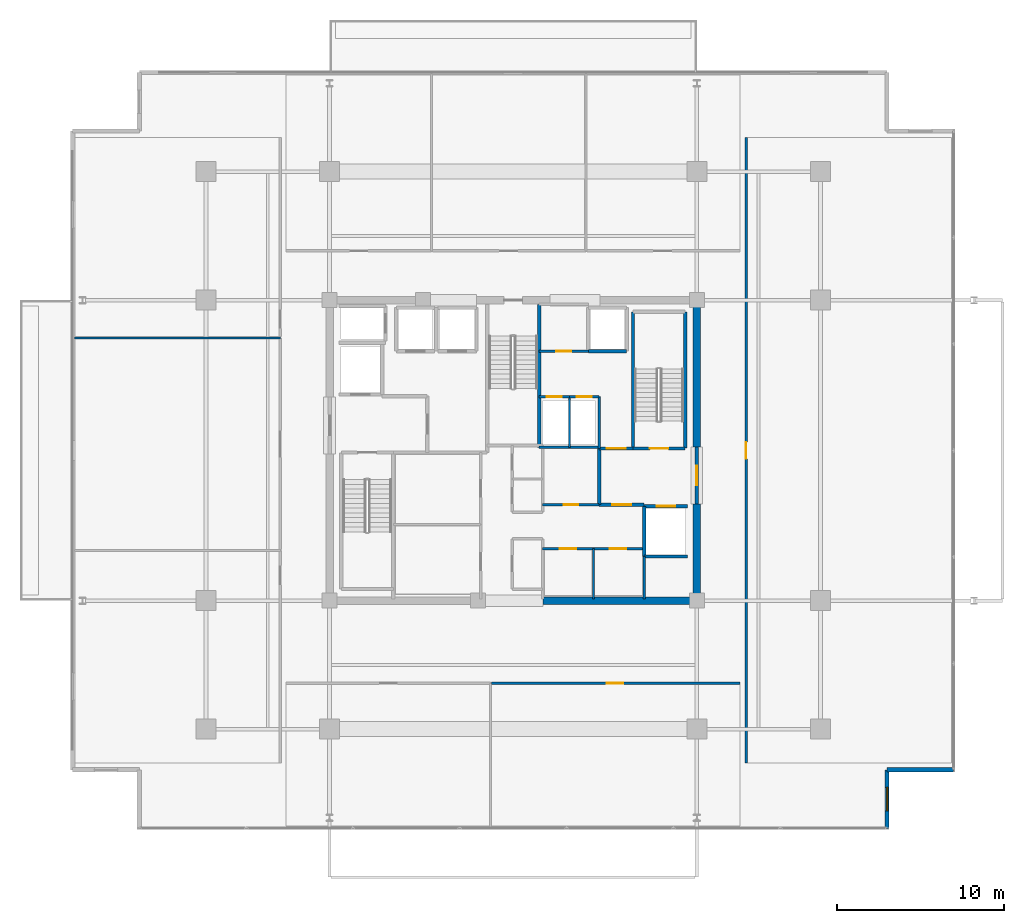
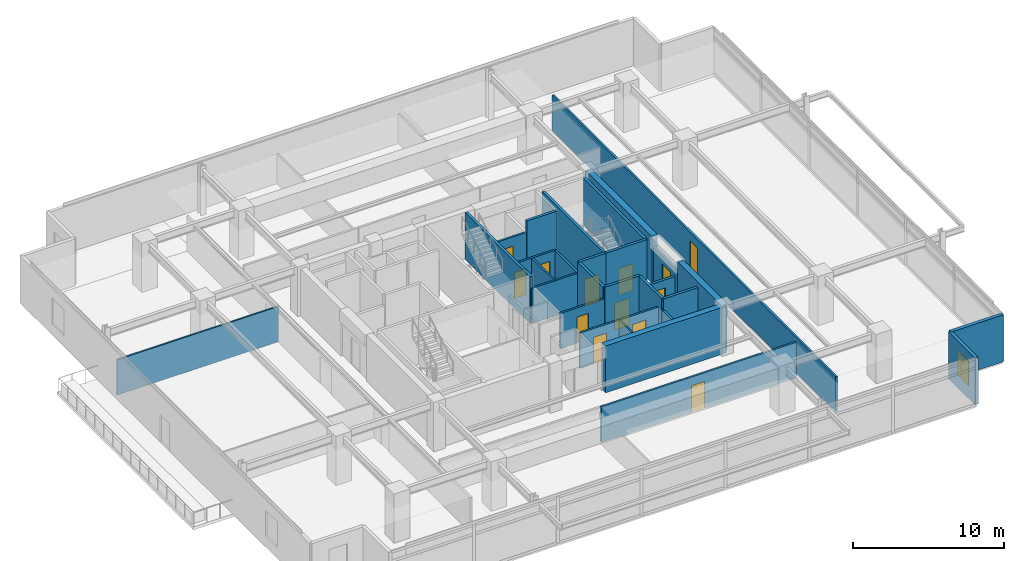
# One storey, part 13 of 19: 31 walls, 13 doors, 1 window, 14 openings.
"""IFC4 building model written with IfcOpenShell, lengths in metres."""

from ifc_helpers import new_model, si_unit, direction, frame, frame_2d, origin, place, context, subcontext, project, spatial, rectangle, extrude, material, layer, layer_set, type_object, element, fill, save


model = new_model("IFC4")

# Units and contexts
model_context = context("Model", 3, precision=1e-05, world=origin(), true_north=direction((0.0, 1.0)))
body_context = subcontext(model_context, "Body", "Model", "MODEL_VIEW")
ifc_project = project(units=[si_unit("LENGTHUNIT", "METRE"), si_unit("AREAUNIT", "SQUARE_METRE"), si_unit("VOLUMEUNIT", "CUBIC_METRE"), si_unit("PLANEANGLEUNIT", "RADIAN"), si_unit("MASSUNIT", "GRAM", prefix="KILO")], contexts=[model_context])

# Site, building, storey
site_placement = place(None, origin())
site = spatial("IfcSite", under=ifc_project, at=site_placement, CompositionType="ELEMENT")
building_placement = place(site_placement, origin())
building = spatial("IfcBuilding", under=site, at=building_placement, Name="Kovane Verandah Tower", CompositionType="ELEMENT")
storey_placement = place(building_placement, frame((0.0, 0.0, 255.199951171875)))
storey = spatial("IfcBuildingStorey", under=building, at=storey_placement, Name="L59", CompositionType="ELEMENT", Elevation=255.199951171875)

# Walls
ifc_material_1 = material(Name="Fire-Rated Gypsum Stud Partition", Category="gypsum")
ifc_layer_1 = layer(ifc_material_1, 0.14990234375)
ifc_layer_set_1 = layer_set([ifc_layer_1], Name="Fire-Rated Gypsum Stud Partition")
wall_type_1 = type_object("IfcWallType", Name="WL-COR-150", PredefinedType="PARTITIONING", material=ifc_layer_set_1)
wall_1_placement = place(storey_placement, frame((41.56005859375, 27.679931640625, 0.0), z_axis=(0.0, 0.0, 1.0), x_axis=(1.0, 0.0, 0.0)))
element("IfcWall", 1, at=wall_1_placement, inside=storey, type_object=wall_type_1, Name="L59 East Core Service Riser South Wall", PredefinedType="PARTITIONING", context=body_context, shape_type="SweptSolid", body=[
    extrude(rectangle(XDim=3.58984375, YDim=0.14990234375, at=frame_2d((1.794921875, 0.0))), origin(), (0.0, 0.0, 1.0), 2.85009765625),
])
wall_2_placement = place(storey_placement, frame((47.85009765625, 18.60009765625, 0.0), z_axis=(0.0, 0.0, 1.0), x_axis=(0.0, 1.0, 0.0)))
element("IfcWall", 2, at=wall_2_placement, inside=storey, type_object=wall_type_1, Name="L59 East Core Support East Wall", PredefinedType="PARTITIONING", context=body_context, shape_type="SweptSolid", body=[
    extrude(rectangle(XDim=2.539794921875, YDim=0.14990234375, at=frame_2d((1.27001953125, 0.0))), origin(), (0.0, 0.0, 1.0), 2.85009765625),
])

# Wall, opening, door
wall_3_placement = place(storey_placement, frame((41.760009765625, 21.6201171875, 0.0), z_axis=(0.0, 0.0, 1.0), x_axis=(1.0, 0.0, 0.0)))
wall_3 = element("IfcWall", 3, at=wall_3_placement, inside=storey, type_object=wall_type_1, Name="L59 AV Control Room Partition", PredefinedType="PARTITIONING", context=body_context, shape_type="SweptSolid", body=[
    extrude(rectangle(XDim=3.0400390625, YDim=0.14990234375, at=frame_2d((1.52001953125, 0.0))), origin(), (0.0, 0.0, 1.0), 2.85009765625),
])
opening_1_placement = place(wall_3_placement, frame((1.02001953125, 0.0, 0.0)))
opening_1 = element("IfcOpeningElement", 4, at=opening_1_placement, cuts=wall_3, Name="Opening DR-L59-014", PredefinedType="OPENING", context=body_context, shape_type="SweptSolid", body=[
    extrude(rectangle(XDim=1.0, YDim=2.14990234375, at=frame_2d((0.5, 1.074951171875))), frame((0.0, 0.074951171875, 0.0), z_axis=(0.0, -1.0, 0.0), x_axis=(1.0, 0.0, 0.0)), (0.0, 0.0, 1.0), 0.14990234375),
])
ifc_material_2 = material(Name="FSC Spotted-Gum Timber Fire-Rated Office Door", Category="wood")
door_type_1 = type_object("IfcDoorType", Name="DR-OFF-1000", OperationType="SINGLE_SWING_LEFT", PredefinedType="DOOR", material=ifc_material_2)
door_1_placement = place(opening_1_placement, origin())
door_1 = element("IfcDoor", 5, at=door_1_placement, inside=storey, type_object=door_type_1, Name="L59 AV Control Room Door", OperationType="SINGLE_SWING_RIGHT", OverallHeight=2.14990234375, OverallWidth=1.0, PredefinedType="DOOR", context=body_context, shape_type="SweptSolid", body=[
    extrude(rectangle(XDim=1.0, YDim=2.14990234375, at=frame_2d((0.5, 1.074951171875))), frame((0.0, 0.02490234375, 0.0), z_axis=(0.0, -1.0, 0.0), x_axis=(1.0, 0.0, 0.0)), (0.0, 0.0, 1.0), 0.050048828125),
])
fill(opening_1, door_1)

wall_4_placement = place(storey_placement, frame((44.800048828125, 21.6201171875, 0.0), z_axis=(0.0, 0.0, 1.0), x_axis=(1.0, 0.0, 0.0)))
wall_4 = element("IfcWall", 6, at=wall_4_placement, inside=storey, type_object=wall_type_1, Name="L59 East IT Server Room Partition", PredefinedType="PARTITIONING", context=body_context, shape_type="SweptSolid", body=[
    extrude(rectangle(XDim=2.93994140625, YDim=0.14990234375, at=frame_2d((1.469970703125, 0.0))), origin(), (0.0, 0.0, 1.0), 2.85009765625),
])
opening_2_placement = place(wall_4_placement, frame((0.969970703125, 0.0, 0.0)))
opening_2 = element("IfcOpeningElement", 7, at=opening_2_placement, cuts=wall_4, Name="Opening DR-L59-015", PredefinedType="OPENING", context=body_context, shape_type="SweptSolid", body=[
    extrude(rectangle(XDim=1.0, YDim=2.14990234375, at=frame_2d((0.5, 1.074951171875))), frame((0.0, 0.074951171875, 0.0), z_axis=(0.0, -1.0, 0.0), x_axis=(1.0, 0.0, 0.0)), (0.0, 0.0, 1.0), 0.14990234375),
])
door_2_placement = place(opening_2_placement, origin())
door_2 = element("IfcDoor", 8, at=door_2_placement, inside=storey, type_object=door_type_1, Name="L59 East IT Server Room Door", OperationType="SINGLE_SWING_LEFT", OverallHeight=2.14990234375, OverallWidth=1.0, PredefinedType="DOOR", context=body_context, shape_type="SweptSolid", body=[
    extrude(rectangle(XDim=1.0, YDim=2.14990234375, at=frame_2d((0.5, 1.074951171875))), frame((0.0, 0.02490234375, 0.0), z_axis=(0.0, -1.0, 0.0), x_axis=(1.0, 0.0, 0.0)), (0.0, 0.0, 1.0), 0.050048828125),
])
fill(opening_2, door_2)

wall_5_placement = place(storey_placement, frame((41.760009765625, 24.25, 0.0), z_axis=(0.0, 0.0, 1.0), x_axis=(1.0, 0.0, 0.0)))
wall_5 = element("IfcWall", 9, at=wall_5_placement, inside=storey, type_object=wall_type_1, Name="L59 Cleaner Store Partition", PredefinedType="PARTITIONING", context=body_context, shape_type="SweptSolid", body=[
    extrude(rectangle(XDim=3.389892578125, YDim=0.14990234375, at=frame_2d((1.69482421875, 0.0))), origin(), (0.0, 0.0, 1.0), 2.85009765625),
])
opening_3_placement = place(wall_5_placement, frame((1.2548828125, 0.0, 0.0)))
opening_3 = element("IfcOpeningElement", 10, at=opening_3_placement, cuts=wall_5, Name="Opening DR-L59-016", PredefinedType="OPENING", context=body_context, shape_type="SweptSolid", body=[
    extrude(rectangle(XDim=0.8798828125, YDim=2.10009765625, at=frame_2d((0.43994140625, 1.050048828125))), frame((0.0, 0.074951171875, 0.0), z_axis=(0.0, -1.0, 0.0), x_axis=(1.0, 0.0, 0.0)), (0.0, 0.0, 1.0), 0.14990234375),
])
ifc_material_3 = material(Name="Fire-Rated Steel Riser Access Door", Category="steel")
door_type_2 = type_object("IfcDoorType", Name="DR-RISER-880", OperationType="SINGLE_SWING_LEFT", PredefinedType="DOOR", material=ifc_material_3)
door_3_placement = place(opening_3_placement, origin())
door_3 = element("IfcDoor", 11, at=door_3_placement, inside=storey, type_object=door_type_2, Name="L59 Cleaner Store Door", OperationType="SINGLE_SWING_RIGHT", OverallHeight=2.10009765625, OverallWidth=0.8798828125, PredefinedType="DOOR", context=body_context, shape_type="SweptSolid", body=[
    extrude(rectangle(XDim=0.8798828125, YDim=2.10009765625, at=frame_2d((0.43994140625, 1.050048828125))), frame((0.0, 0.02490234375, 0.0), z_axis=(0.0, -1.0, 0.0), x_axis=(1.0, 0.0, 0.0)), (0.0, 0.0, 1.0), 0.050048828125),
])
fill(opening_3, door_3)

# Wall
wall_6_placement = place(storey_placement, frame((45.14990234375, 27.6201171875, 0.0), z_axis=(0.0, 0.0, 1.0), x_axis=(0.0, 1.0, 0.0)))
element("IfcWall", 12, at=wall_6_placement, inside=storey, type_object=wall_type_1, Name="L59 East Core Service Riser East Wall", PredefinedType="PARTITIONING", context=body_context, shape_type="SweptSolid", body=[
    extrude(rectangle(XDim=3.099853515625, YDim=0.14990234375, at=frame_2d((1.5498046875, 0.0))), origin(), (0.0, 0.0, 1.0), 2.85009765625),
])

# Wall, opening, door
wall_7_placement = place(storey_placement, frame((41.56005859375, 30.719970703125, 0.0), z_axis=(0.0, 0.0, 1.0), x_axis=(1.0, 0.0, 0.0)))
wall_7 = element("IfcWall", 13, at=wall_7_placement, inside=storey, type_object=wall_type_1, Name="L59 Chilled Water Riser Room Partition", PredefinedType="PARTITIONING", context=body_context, shape_type="SweptSolid", body=[
    extrude(rectangle(XDim=1.800048828125, YDim=0.14990234375, at=frame_2d((0.89990234375, 0.0))), origin(), (0.0, 0.0, 1.0), 2.85009765625),
])
opening_4_placement = place(wall_7_placement, frame((0.4599609375, 0.0, 0.0)))
opening_4 = element("IfcOpeningElement", 14, at=opening_4_placement, cuts=wall_7, Name="Opening DR-L59-018", PredefinedType="OPENING", context=body_context, shape_type="SweptSolid", body=[
    extrude(rectangle(XDim=0.8798828125, YDim=2.10009765625, at=frame_2d((0.43994140625, 1.050048828125))), frame((0.0, 0.074951171875, 0.0), z_axis=(0.0, -1.0, 0.0), x_axis=(1.0, 0.0, 0.0)), (0.0, 0.0, 1.0), 0.14990234375),
])
door_4_placement = place(opening_4_placement, origin())
door_4 = element("IfcDoor", 15, at=door_4_placement, inside=storey, type_object=door_type_2, Name="L59 Chilled Water Riser Room Door", OperationType="SINGLE_SWING_LEFT", OverallHeight=2.10009765625, OverallWidth=0.8798828125, PredefinedType="DOOR", context=body_context, shape_type="SweptSolid", body=[
    extrude(rectangle(XDim=0.8798828125, YDim=2.10009765625, at=frame_2d((0.43994140625, 1.050048828125))), frame((0.0, 0.02490234375, 0.0), z_axis=(0.0, -1.0, 0.0), x_axis=(1.0, 0.0, 0.0)), (0.0, 0.0, 1.0), 0.050048828125),
])
fill(opening_4, door_4)

wall_8_placement = place(storey_placement, frame((43.360107421875, 30.719970703125, 0.0), z_axis=(0.0, 0.0, 1.0), x_axis=(1.0, 0.0, 0.0)))
wall_8 = element("IfcWall", 16, at=wall_8_placement, inside=storey, type_object=wall_type_1, Name="L59 Smoke Extract Duct Room Partition", PredefinedType="PARTITIONING", context=body_context, shape_type="SweptSolid", body=[
    extrude(rectangle(XDim=1.789794921875, YDim=0.14990234375, at=frame_2d((0.89501953125, 0.0))), origin(), (0.0, 0.0, 1.0), 2.85009765625),
])
opening_5_placement = place(wall_8_placement, frame((0.455078125, 0.0, 0.0)))
opening_5 = element("IfcOpeningElement", 17, at=opening_5_placement, cuts=wall_8, Name="Opening DR-L59-019", PredefinedType="OPENING", context=body_context, shape_type="SweptSolid", body=[
    extrude(rectangle(XDim=0.8798828125, YDim=2.10009765625, at=frame_2d((0.43994140625, 1.050048828125))), frame((0.0, 0.074951171875, 0.0), z_axis=(0.0, -1.0, 0.0), x_axis=(1.0, 0.0, 0.0)), (0.0, 0.0, 1.0), 0.14990234375),
])
door_5_placement = place(opening_5_placement, origin())
door_5 = element("IfcDoor", 18, at=door_5_placement, inside=storey, type_object=door_type_2, Name="L59 Smoke Extract Duct Room Door", OperationType="SINGLE_SWING_RIGHT", OverallHeight=2.10009765625, OverallWidth=0.8798828125, PredefinedType="DOOR", context=body_context, shape_type="SweptSolid", body=[
    extrude(rectangle(XDim=0.8798828125, YDim=2.10009765625, at=frame_2d((0.43994140625, 1.050048828125))), frame((0.0, 0.02490234375, 0.0), z_axis=(0.0, -1.0, 0.0), x_axis=(1.0, 0.0, 0.0)), (0.0, 0.0, 1.0), 0.050048828125),
])
fill(opening_5, door_5)

wall_9_placement = place(storey_placement, frame((41.56005859375, 33.449951171875, 0.0), z_axis=(0.0, 0.0, 1.0), x_axis=(1.0, 0.0, 0.0)))
wall_9 = element("IfcWall", 19, at=wall_9_placement, inside=storey, type_object=wall_type_1, Name="L59 Sky Telecom Riser Room Partition", PredefinedType="PARTITIONING", context=body_context, shape_type="SweptSolid", body=[
    extrude(rectangle(XDim=2.93994140625, YDim=0.14990234375, at=frame_2d((1.469970703125, 0.0))), origin(), (0.0, 0.0, 1.0), 2.85009765625),
])
opening_6_placement = place(wall_9_placement, frame((1.030029296875, 0.0, 0.0)))
opening_6 = element("IfcOpeningElement", 20, at=opening_6_placement, cuts=wall_9, Name="Opening DR-L59-017", PredefinedType="OPENING", context=body_context, shape_type="SweptSolid", body=[
    extrude(rectangle(XDim=0.8798828125, YDim=2.10009765625, at=frame_2d((0.43994140625, 1.050048828125))), frame((0.0, 0.074951171875, 0.0), z_axis=(0.0, -1.0, 0.0), x_axis=(1.0, 0.0, 0.0)), (0.0, 0.0, 1.0), 0.14990234375),
])
door_6_placement = place(opening_6_placement, origin())
door_6 = element("IfcDoor", 21, at=door_6_placement, inside=storey, type_object=door_type_2, Name="L59 Sky Telecom Riser Room Door", OperationType="SINGLE_SWING_LEFT", OverallHeight=2.10009765625, OverallWidth=0.8798828125, PredefinedType="DOOR", context=body_context, shape_type="SweptSolid", body=[
    extrude(rectangle(XDim=0.8798828125, YDim=2.10009765625, at=frame_2d((0.43994140625, 1.050048828125))), frame((0.0, 0.02490234375, 0.0), z_axis=(0.0, -1.0, 0.0), x_axis=(1.0, 0.0, 0.0)), (0.0, 0.0, 1.0), 0.050048828125),
])
fill(opening_6, door_6)

wall_10_placement = place(storey_placement, frame((38.7099609375, 13.550048828125, 0.0), z_axis=(0.0, 0.0, 1.0), x_axis=(1.0, 0.0, 0.0)))
wall_10 = element("IfcWall", 22, at=wall_10_placement, inside=storey, type_object=wall_type_1, Name="L59 Open Plan Office S2 Corridor Partition", PredefinedType="PARTITIONING", context=body_context, shape_type="SweptSolid", body=[
    extrude(rectangle(XDim=14.89013671875, YDim=0.14990234375, at=frame_2d((7.445068359375, 0.0))), origin(), (0.0, 0.0, 1.0), 2.85009765625),
])
opening_7_placement = place(wall_10_placement, frame((6.89501953125, 0.0, 0.0)))
opening_7 = element("IfcOpeningElement", 23, at=opening_7_placement, cuts=wall_10, Name="Opening DR-L59-024", PredefinedType="OPENING", context=body_context, shape_type="SweptSolid", body=[
    extrude(rectangle(XDim=1.0, YDim=2.14990234375, at=frame_2d((0.5, 1.074951171875))), frame((0.0, 0.074951171875, 0.0), z_axis=(0.0, -1.0, 0.0), x_axis=(1.0, 0.0, 0.0)), (0.0, 0.0, 1.0), 0.14990234375),
])
door_7_placement = place(opening_7_placement, origin())
door_7 = element("IfcDoor", 24, at=door_7_placement, inside=storey, type_object=door_type_1, Name="L59 Open Plan Office S2 Entrance Door", OperationType="SINGLE_SWING_RIGHT", OverallHeight=2.14990234375, OverallWidth=1.0, PredefinedType="DOOR", context=body_context, shape_type="SweptSolid", body=[
    extrude(rectangle(XDim=1.0, YDim=2.14990234375, at=frame_2d((0.5, 1.074951171875))), frame((0.0, 0.02490234375, 0.0), z_axis=(0.0, -1.0, 0.0), x_axis=(1.0, 0.0, 0.0)), (0.0, 0.0, 1.0), 0.050048828125),
])
fill(opening_7, door_7)

wall_11_placement = place(storey_placement, frame((53.949951171875, 8.762451171875, 0.0), z_axis=(0.0, 0.0, 1.0), x_axis=(0.0, 1.0, 0.0)))
wall_11 = element("IfcWall", 25, at=wall_11_placement, inside=storey, type_object=wall_type_1, Name="L59 Focus Studio E1 Corridor Partition", PredefinedType="PARTITIONING", context=body_context, shape_type="SweptSolid", body=[
    extrude(rectangle(XDim=37.47509765625, YDim=0.14990234375, at=frame_2d((18.737548828125, 0.0))), origin(), (0.0, 0.0, 1.0), 2.85009765625),
])
opening_8_placement = place(wall_11_placement, frame((18.237548828125, 0.0, 0.0)))
opening_8 = element("IfcOpeningElement", 26, at=opening_8_placement, cuts=wall_11, Name="Opening DR-L59-011", PredefinedType="OPENING", context=body_context, shape_type="SweptSolid", body=[
    extrude(rectangle(XDim=1.0, YDim=2.14990234375, at=frame_2d((0.5, 1.074951171875))), frame((0.0, 0.074951171875, 0.0), z_axis=(0.0, -1.0, 0.0), x_axis=(1.0, 0.0, 0.0)), (0.0, 0.0, 1.0), 0.14990234375),
])
door_8_placement = place(opening_8_placement, origin())
door_8 = element("IfcDoor", 27, at=door_8_placement, inside=storey, type_object=door_type_1, Name="L59 Focus Studio E1 Entrance Door", OperationType="SINGLE_SWING_RIGHT", OverallHeight=2.14990234375, OverallWidth=1.0, PredefinedType="DOOR", context=body_context, shape_type="SweptSolid", body=[
    extrude(rectangle(XDim=1.0, YDim=2.14990234375, at=frame_2d((0.5, 1.074951171875))), frame((0.0, 0.02490234375, 0.0), z_axis=(0.0, -1.0, 0.0), x_axis=(1.0, 0.0, 0.0)), (0.0, 0.0, 1.0), 0.050048828125),
])
fill(opening_8, door_8)

# Walls
ifc_material_4 = material(Name="Concrete C60/75", Category="concrete")
ifc_layer_2 = layer(ifc_material_4, 0.449951171875)
ifc_layer_set_2 = layer_set([ifc_layer_2], Name="Concrete C60/75")
wall_type_2 = type_object("IfcWallType", Name="WL-CORE-450", PredefinedType="SHEAR", material=ifc_layer_set_2)
wall_12_placement = place(storey_placement, frame((41.800048828125, 18.5, 0.0), z_axis=(0.0, 0.0, 1.0), x_axis=(1.0, 0.0, 0.0)))
element("IfcWall", 28, at=wall_12_placement, inside=storey, type_object=wall_type_2, Name="L59 Core Shear Wall CS-2", PredefinedType="SHEAR", context=body_context, shape_type="SweptSolid", body=[
    extrude(rectangle(XDim=9.199951171875, YDim=0.449951171875, at=frame_2d((4.60009765625, 0.0))), origin(), (0.0, 0.0, 1.0), 3.78515625),
])
wall_13_placement = place(storey_placement, frame((51.0, 18.5, 0.0), z_axis=(0.0, 0.0, 1.0), x_axis=(0.0, 1.0, 0.0)))
element("IfcWall", 29, at=wall_13_placement, inside=storey, type_object=wall_type_2, Name="L59 Core Shear Wall CE-1", PredefinedType="SHEAR", context=body_context, shape_type="SweptSolid", body=[
    extrude(rectangle(XDim=5.800048828125, YDim=0.449951171875, at=frame_2d((2.89990234375, 0.0))), origin(), (0.0, 0.0, 1.0), 3.78515625),
])
wall_14_placement = place(storey_placement, frame((51.0, 27.699951171875, 0.0), z_axis=(0.0, 0.0, 1.0), x_axis=(0.0, 1.0, 0.0)))
element("IfcWall", 30, at=wall_14_placement, inside=storey, type_object=wall_type_2, Name="L59 Core Shear Wall CE-2", PredefinedType="SHEAR", context=body_context, shape_type="SweptSolid", body=[
    extrude(rectangle(XDim=8.800048828125, YDim=0.449951171875, at=frame_2d((4.39990234375, 0.0))), origin(), (0.0, 0.0, 1.0), 3.78515625),
])
ifc_material_5 = material(Name="Concrete C45/55 Fire Wall", Category="concrete")
ifc_layer_3 = layer(ifc_material_5, 0.199951171875)
ifc_layer_set_3 = layer_set([ifc_layer_3], Name="Concrete C45/55 Fire Wall")
wall_type_3 = type_object("IfcWallType", Name="WL-FFL-200", PredefinedType="PARTITIONING", material=ifc_layer_set_3)
wall_15_placement = place(storey_placement, frame((45.14990234375, 24.25, 0.0), z_axis=(0.0, 0.0, 1.0), x_axis=(0.0, 1.0, 0.0)))
element("IfcWall", 31, at=wall_15_placement, inside=storey, type_object=wall_type_3, Name="L59 East Firefighting Lobby West Fire Wall", PredefinedType="PARTITIONING", context=body_context, shape_type="SweptSolid", body=[
    extrude(rectangle(XDim=3.3701171875, YDim=0.199951171875, at=frame_2d((1.68505859375, 0.0))), origin(), (0.0, 0.0, 1.0), 3.78515625),
])

# Wall, opening, door
wall_16_placement = place(storey_placement, frame((45.14990234375, 24.25, 0.0), z_axis=(0.0, 0.0, 1.0), x_axis=(1.0, 0.0, 0.0)))
wall_16 = element("IfcWall", 32, at=wall_16_placement, inside=storey, type_object=wall_type_3, Name="W-L59-FFLE-S", PredefinedType="PARTITIONING", context=body_context, shape_type="SweptSolid", body=[
    extrude(rectangle(XDim=2.7001953125, YDim=0.199951171875, at=frame_2d((1.35009765625, 0.0))), origin(), (0.0, 0.0, 1.0), 3.78515625),
])
opening_9_placement = place(wall_16_placement, frame((0.77490234375, 0.0, 0.0)))
opening_9 = element("IfcOpeningElement", 33, at=opening_9_placement, cuts=wall_16, Name="Opening DR-L59-003", PredefinedType="OPENING", context=body_context, shape_type="SweptSolid", body=[
    extrude(rectangle(XDim=1.14990234375, YDim=2.199951171875, at=frame_2d((0.574951171875, 1.10009765625))), frame((0.0, 0.10009765625, 0.0), z_axis=(0.0, -1.0, 0.0), x_axis=(1.0, 0.0, 0.0)), (0.0, 0.0, 1.0), 0.199951171875),
])
ifc_material_6 = material(Name="Smoke-Sealed Firefighting Lobby Door", Category="steel")
door_type_3 = type_object("IfcDoorType", Name="DR-FFL-1150", OperationType="SINGLE_SWING_LEFT", PredefinedType="DOOR", material=ifc_material_6)
door_9_placement = place(opening_9_placement, origin())
door_9 = element("IfcDoor", 34, at=door_9_placement, inside=storey, type_object=door_type_3, Name="L59 East Firefighting Lobby Inner Door", OperationType="SINGLE_SWING_RIGHT", OverallHeight=2.199951171875, OverallWidth=1.14990234375, PredefinedType="DOOR", context=body_context, shape_type="SweptSolid", body=[
    extrude(rectangle(XDim=1.14990234375, YDim=2.199951171875, at=frame_2d((0.574951171875, 1.10009765625))), frame((0.0, 0.02490234375, 0.0), z_axis=(0.0, -1.0, 0.0), x_axis=(1.0, 0.0, 0.0)), (0.0, 0.0, 1.0), 0.050048828125),
])
fill(opening_9, door_9)

wall_17_placement = place(storey_placement, frame((45.14990234375, 27.6201171875, 0.0), z_axis=(0.0, 0.0, 1.0), x_axis=(1.0, 0.0, 0.0)))
wall_17 = element("IfcWall", 35, at=wall_17_placement, inside=storey, type_object=wall_type_3, Name="W-L59-FFLE-N", PredefinedType="PARTITIONING", context=body_context, shape_type="SweptSolid", body=[
    extrude(rectangle(XDim=2.030029296875, YDim=0.199951171875, at=frame_2d((1.01513671875, 0.0))), origin(), (0.0, 0.0, 1.0), 3.78515625),
])
opening_10_placement = place(wall_17_placement, frame((0.43994140625, 0.0, 0.0)))
opening_10 = element("IfcOpeningElement", 36, at=opening_10_placement, cuts=wall_17, Name="Opening DR-L59-004", PredefinedType="OPENING", context=body_context, shape_type="SweptSolid", body=[
    extrude(rectangle(XDim=1.14990234375, YDim=2.199951171875, at=frame_2d((0.574951171875, 1.10009765625))), frame((0.0, 0.10009765625, 0.0), z_axis=(0.0, -1.0, 0.0), x_axis=(1.0, 0.0, 0.0)), (0.0, 0.0, 1.0), 0.199951171875),
])
door_10_placement = place(opening_10_placement, origin())
door_10 = element("IfcDoor", 37, at=door_10_placement, inside=storey, type_object=door_type_3, Name="L59 East Firefighting Lobby Shuttle Link Door", OperationType="SINGLE_SWING_LEFT", OverallHeight=2.199951171875, OverallWidth=1.14990234375, PredefinedType="DOOR", context=body_context, shape_type="SweptSolid", body=[
    extrude(rectangle(XDim=1.14990234375, YDim=2.199951171875, at=frame_2d((0.574951171875, 1.10009765625))), frame((0.0, 0.02490234375, 0.0), z_axis=(0.0, -1.0, 0.0), x_axis=(1.0, 0.0, 0.0)), (0.0, 0.0, 1.0), 0.050048828125),
])
fill(opening_10, door_10)

wall_18_placement = place(storey_placement, frame((51.0, 24.300048828125, 0.0), z_axis=(0.0, 0.0, 1.0), x_axis=(0.0, 1.0, 0.0)))
wall_18 = element("IfcWall", 38, at=wall_18_placement, inside=storey, type_object=wall_type_3, Name="W-L59-FFLE-OUT", PredefinedType="PARTITIONING", context=body_context, shape_type="SweptSolid", body=[
    extrude(rectangle(XDim=3.39990234375, YDim=0.199951171875, at=frame_2d((1.699951171875, 0.0))), origin(), (0.0, 0.0, 1.0), 2.864990234375),
])
opening_11_placement = place(wall_18_placement, frame((1.125, 0.0, 0.0)))
opening_11 = element("IfcOpeningElement", 39, at=opening_11_placement, cuts=wall_18, Name="Opening DR-L59-005", PredefinedType="OPENING", context=body_context, shape_type="SweptSolid", body=[
    extrude(rectangle(XDim=1.14990234375, YDim=2.199951171875, at=frame_2d((0.574951171875, 1.10009765625))), frame((0.0, 0.10009765625, 0.0), z_axis=(0.0, -1.0, 0.0), x_axis=(1.0, 0.0, 0.0)), (0.0, 0.0, 1.0), 0.199951171875),
])
door_11_placement = place(opening_11_placement, origin())
door_11 = element("IfcDoor", 40, at=door_11_placement, inside=storey, type_object=door_type_3, Name="L59 East Firefighting Lobby Corridor Door", OperationType="SINGLE_SWING_LEFT", OverallHeight=2.199951171875, OverallWidth=1.14990234375, PredefinedType="DOOR", context=body_context, shape_type="SweptSolid", body=[
    extrude(rectangle(XDim=1.14990234375, YDim=2.199951171875, at=frame_2d((0.574951171875, 1.10009765625))), frame((0.0, 0.02490234375, 0.0), z_axis=(0.0, -1.0, 0.0), x_axis=(1.0, 0.0, 0.0)), (0.0, 0.0, 1.0), 0.050048828125),
])
fill(opening_11, door_11)

# Wall
ifc_material_7 = material(Name="Concrete C45/55 Lift Shaft Wall", Category="concrete")
ifc_layer_4 = layer(ifc_material_7, 0.199951171875)
ifc_layer_set_4 = layer_set([ifc_layer_4], Name="Concrete C45/55 Lift Shaft Wall")
wall_type_4 = type_object("IfcWallType", Name="WL-LIFT-200", PredefinedType="SOLIDWALL", material=ifc_layer_set_4)
wall_19_placement = place(storey_placement, frame((47.85009765625, 21.14990234375, 0.0), z_axis=(0.0, 0.0, 1.0), x_axis=(1.0, 0.0, 0.0)))
element("IfcWall", 41, at=wall_19_placement, inside=storey, type_object=wall_type_4, Name="L59 Lift FL-02 S Shaft Wall", PredefinedType="SOLIDWALL", context=body_context, shape_type="SweptSolid", body=[
    extrude(rectangle(XDim=2.599853515625, YDim=0.199951171875, at=frame_2d((1.2998046875, 0.0))), origin(), (0.0, 0.0, 1.0), 3.78515625),
])

# Wall, opening, door
wall_20_placement = place(storey_placement, frame((50.449951171875, 24.14990234375, 0.0), z_axis=(0.0, 0.0, 1.0), x_axis=(-1.0, 0.0, 0.0)))
wall_20 = element("IfcWall", 42, at=wall_20_placement, inside=storey, type_object=wall_type_4, Name="L59 Lift FL-02 N Shaft Wall", PredefinedType="SOLIDWALL", context=body_context, shape_type="SweptSolid", body=[
    extrude(rectangle(XDim=2.599853515625, YDim=0.199951171875, at=frame_2d((1.2998046875, 0.0))), origin(), (0.0, 0.0, 1.0), 2.864990234375),
])
opening_12_placement = place(wall_20_placement, frame((0.75, 0.0, 0.0)))
opening_12 = element("IfcOpeningElement", 43, at=opening_12_placement, cuts=wall_20, Name="Opening LD-L59-002", PredefinedType="OPENING", context=body_context, shape_type="SweptSolid", body=[
    extrude(rectangle(XDim=1.10009765625, YDim=2.199951171875, at=frame_2d((0.550048828125, 1.10009765625))), frame((0.0, 0.10009765625, 0.0), z_axis=(0.0, -1.0, 0.0), x_axis=(1.0, 0.0, 0.0)), (0.0, 0.0, 1.0), 0.199951171875),
])
ifc_material_8 = material(Name="Brushed Stainless Steel Sliding Lift Landing Door", Category="steel")
door_type_4 = type_object("IfcDoorType", Name="DR-LIFT-1100", OperationType="SLIDING_TO_RIGHT", PredefinedType="DOOR", material=ifc_material_8)
door_12_placement = place(opening_12_placement, origin())
door_12 = element("IfcDoor", 44, at=door_12_placement, inside=storey, type_object=door_type_4, Name="L59 Lift FL-02 Sliding Landing Door", OperationType="SLIDING_TO_RIGHT", OverallHeight=2.199951171875, OverallWidth=1.10009765625, PredefinedType="DOOR", context=body_context, shape_type="SweptSolid", body=[
    extrude(rectangle(XDim=1.10009765625, YDim=2.199951171875, at=frame_2d((0.550048828125, 1.10009765625))), frame((0.0, 0.02490234375, 0.0), z_axis=(0.0, -1.0, 0.0), x_axis=(1.0, 0.0, 0.0)), (0.0, 0.0, 1.0), 0.050048828125),
])
fill(opening_12, door_12)

# Walls
wall_21_placement = place(storey_placement, frame((47.85009765625, 24.14990234375, 0.0), z_axis=(0.0, 0.0, 1.0), x_axis=(0.0, -1.0, 0.0)))
element("IfcWall", 45, at=wall_21_placement, inside=storey, type_object=wall_type_4, Name="L59 Lift FL-02 W Shaft Wall", PredefinedType="SOLIDWALL", context=body_context, shape_type="SweptSolid", body=[
    extrude(rectangle(XDim=3.0, YDim=0.199951171875, at=frame_2d((1.5, 0.0))), origin(), (0.0, 0.0, 1.0), 3.78515625),
])
wall_22_placement = place(storey_placement, frame((44.5, 33.449951171875, 0.0), z_axis=(0.0, 0.0, 1.0), x_axis=(1.0, 0.0, 0.0)))
element("IfcWall", 46, at=wall_22_placement, inside=storey, type_object=wall_type_4, Name="L59 Lift OL-01 S Shaft Wall", PredefinedType="SOLIDWALL", context=body_context, shape_type="SweptSolid", body=[
    extrude(rectangle(XDim=2.300048828125, YDim=0.199951171875, at=frame_2d((1.14990234375, 0.0))), origin(), (0.0, 0.0, 1.0), 3.78515625),
])
ifc_material_9 = material(Name="Acoustic Fire-Rated Gypsum Partition", Category="gypsum")
ifc_layer_5 = layer(ifc_material_9, 0.1201171875)
ifc_layer_set_5 = layer_set([ifc_layer_5], Name="Acoustic Fire-Rated Gypsum Partition")
wall_type_5 = type_object("IfcWallType", Name="WL-PART-120", PredefinedType="PARTITIONING", material=ifc_layer_set_5)
wall_23_placement = place(storey_placement, frame((44.800048828125, 18.60009765625, 0.0), z_axis=(0.0, 0.0, 1.0), x_axis=(0.0, 1.0, 0.0)))
element("IfcWall", 47, at=wall_23_placement, inside=storey, type_object=wall_type_5, Name="L59 East Core Support Dividing Partition", PredefinedType="PARTITIONING", context=body_context, shape_type="SweptSolid", body=[
    extrude(rectangle(XDim=3.02001953125, YDim=0.1201171875, at=frame_2d((1.510009765625, 0.0))), origin(), (0.0, 0.0, 1.0), 2.85009765625),
])
wall_24_placement = place(storey_placement, frame((43.360107421875, 27.679931640625, 0.0), z_axis=(0.0, 0.0, 1.0), x_axis=(0.0, 1.0, 0.0)))
element("IfcWall", 48, at=wall_24_placement, inside=storey, type_object=wall_type_5, Name="L59 Service Riser Dividing Partition", PredefinedType="PARTITIONING", context=body_context, shape_type="SweptSolid", body=[
    extrude(rectangle(XDim=3.0400390625, YDim=0.1201171875, at=frame_2d((1.52001953125, 0.0))), origin(), (0.0, 0.0, 1.0), 2.85009765625),
])
wall_25_placement = place(storey_placement, frame((13.70361328125, 34.24560546875, 0.0), z_axis=(0.0, 0.0, 1.0), x_axis=(1.0, 0.0, 0.0)))
element("IfcWall", 49, at=wall_25_placement, inside=storey, type_object=wall_type_5, Name="L59 Client Boardroom W2 Dividing Partition", PredefinedType="PARTITIONING", context=body_context, shape_type="SweptSolid", body=[
    extrude(rectangle(XDim=12.346435546875, YDim=0.1201171875, at=frame_2d((6.17333984375, 0.0))), origin(), (0.0, 0.0, 1.0), 2.85009765625),
])
ifc_material_10 = material(Name="Concrete C45/55", Category="concrete")
ifc_layer_6 = layer(ifc_material_10, 0.199951171875)
ifc_layer_set_6 = layer_set([ifc_layer_6], Name="Concrete C45/55")
wall_type_6 = type_object("IfcWallType", Name="WL-SHAFT-200", PredefinedType="SOLIDWALL", material=ifc_layer_set_6)
wall_26_placement = place(storey_placement, frame((50.300048828125, 27.64990234375, 0.0), z_axis=(0.0, 0.0, 1.0), x_axis=(0.0, 1.0, 0.0)))
element("IfcWall", 50, at=wall_26_placement, inside=storey, type_object=wall_type_6, Name="W-L59-ST02-E", PredefinedType="SOLIDWALL", context=body_context, shape_type="SweptSolid", body=[
    extrude(rectangle(XDim=8.150146484375, YDim=0.199951171875, at=frame_2d((4.0751953125, 0.0))), origin(), (0.0, 0.0, 1.0), 3.78515625),
])
wall_27_placement = place(storey_placement, frame((47.179931640625, 27.6201171875, 0.0), z_axis=(0.0, 0.0, 1.0), x_axis=(0.0, 1.0, 0.0)))
element("IfcWall", 51, at=wall_27_placement, inside=storey, type_object=wall_type_6, Name="W-L59-ST02-W", PredefinedType="SOLIDWALL", context=body_context, shape_type="SweptSolid", body=[
    extrude(rectangle(XDim=8.179931640625, YDim=0.199951171875, at=frame_2d((4.08984375, 0.0))), origin(), (0.0, 0.0, 1.0), 3.78515625),
])

# Wall, opening, door
wall_28_placement = place(storey_placement, frame((47.179931640625, 27.6201171875, 0.0), z_axis=(0.0, 0.0, 1.0), x_axis=(1.0, 0.0, 0.0)))
wall_28 = element("IfcWall", 52, at=wall_28_placement, inside=storey, type_object=wall_type_6, Name="W-L59-ST02-S", PredefinedType="SOLIDWALL", context=body_context, shape_type="SweptSolid", body=[
    extrude(rectangle(XDim=3.1201171875, YDim=0.199951171875, at=frame_2d((1.56005859375, 0.0))), origin(), (0.0, 0.0, 1.0), 3.78515625),
])
opening_13_placement = place(wall_28_placement, frame((1.010009765625, 0.0, 0.0)))
opening_13 = element("IfcOpeningElement", 53, at=opening_13_placement, cuts=wall_28, Name="Opening DR-L59-009", PredefinedType="OPENING", context=body_context, shape_type="SweptSolid", body=[
    extrude(rectangle(XDim=1.10009765625, YDim=2.14990234375, at=frame_2d((0.550048828125, 1.074951171875))), frame((0.0, 0.10009765625, 0.0), z_axis=(0.0, -1.0, 0.0), x_axis=(1.0, 0.0, 0.0)), (0.0, 0.0, 1.0), 0.199951171875),
])
ifc_material_11 = material(Name="Fire-Rated Steel Exit Door", Category="steel")
door_type_5 = type_object("IfcDoorType", Name="DR-STAIR-1100", OperationType="SINGLE_SWING_LEFT", PredefinedType="DOOR", material=ifc_material_11)
door_13_placement = place(opening_13_placement, origin())
door_13 = element("IfcDoor", 54, at=door_13_placement, inside=storey, type_object=door_type_5, Name="L59 ST-02 Fire Exit Stair Door", OperationType="SINGLE_SWING_LEFT", OverallHeight=2.14990234375, OverallWidth=1.10009765625, PredefinedType="DOOR", context=body_context, shape_type="SweptSolid", body=[
    extrude(rectangle(XDim=1.10009765625, YDim=2.14990234375, at=frame_2d((0.550048828125, 1.074951171875))), frame((0.0, 0.02490234375, 0.0), z_axis=(0.0, -1.0, 0.0), x_axis=(1.0, 0.0, 0.0)), (0.0, 0.0, 1.0), 0.050048828125),
])
fill(opening_13, door_13)

# Wall
wall_29_placement = place(storey_placement, frame((41.56005859375, 27.679931640625, 0.0), z_axis=(0.0, 0.0, 1.0), x_axis=(0.0, 1.0, 0.0)))
element("IfcWall", 55, at=wall_29_placement, inside=storey, type_object=wall_type_6, Name="W-L59-ST03-E", PredefinedType="SOLIDWALL", context=body_context, shape_type="SweptSolid", body=[
    extrude(rectangle(XDim=8.570068359375, YDim=0.199951171875, at=frame_2d((4.28515625, 0.0))), origin(), (0.0, 0.0, 1.0), 3.78515625),
])

# Wall, opening, window
ifc_material_12 = material(Name="Concrete C45/55 Insulated Spandrel Wall", Category="concrete")
ifc_layer_7 = layer(ifc_material_12, 0.260009765625)
ifc_layer_set_7 = layer_set([ifc_layer_7], Name="Concrete C45/55 Insulated Spandrel Wall")
wall_type_7 = type_object("IfcWallType", Name="WL-SPANDREL-260", PredefinedType="PARAPET", material=ifc_layer_set_7)
wall_30_placement = place(storey_placement, frame((62.396240234375, 4.8623046875, 0.0), z_axis=(0.0, 0.0, 1.0), x_axis=(0.0, 1.0, 0.0)))
wall_30 = element("IfcWall", 56, at=wall_30_placement, inside=storey, type_object=wall_type_7, Name="L59 SE Notch Cheek Wall 1", PredefinedType="PARAPET", context=body_context, shape_type="SweptSolid", body=[
    extrude(rectangle(XDim=3.5, YDim=0.260009765625, at=frame_2d((1.75, 0.0))), origin(), (0.0, 0.0, 1.0), 3.78515625),
])
opening_14_placement = place(wall_30_placement, frame((1.050048828125, 0.0, 0.85009765625)))
opening_14 = element("IfcOpeningElement", 57, at=opening_14_placement, cuts=wall_30, Name="Opening W-01", PredefinedType="OPENING", context=body_context, shape_type="SweptSolid", body=[
    extrude(rectangle(XDim=1.39990234375, YDim=2.0, at=frame_2d((0.699951171875, 1.0))), frame((0.0, 0.1298828125, 0.0), z_axis=(0.0, -1.0, 0.0), x_axis=(1.0, 0.0, 0.0)), (0.0, 0.0, 1.0), 0.260009765625),
])
ifc_material_13 = material(Name="Clear Low-E Laminated Double Glazing in Anodised Frame", Category="glass")
window_type = type_object("IfcWindowType", Name="WN-OPER-1400x2000", PartitioningType="SINGLE_PANEL", PredefinedType="WINDOW", material=ifc_material_13)
window_placement = place(opening_14_placement, origin())
window = element("IfcWindow", 58, at=window_placement, inside=storey, type_object=window_type, Name="L59 SE Re-Entrant Corner Operable Window", OverallHeight=2.0, OverallWidth=1.39990234375, PartitioningType="SINGLE_PANEL", PredefinedType="WINDOW", context=body_context, shape_type="SweptSolid", body=[
    extrude(rectangle(XDim=1.39990234375, YDim=2.0, at=frame_2d((0.699951171875, 1.0))), frame((0.0, 0.030029296875, 0.0), z_axis=(0.0, -1.0, 0.0), x_axis=(1.0, 0.0, 0.0)), (0.0, 0.0, 1.0), 0.06005859375),
])
fill(opening_14, window)

# Wall
wall_31_placement = place(storey_placement, frame((62.396240234375, 8.3623046875, 0.0), z_axis=(0.0, 0.0, 1.0), x_axis=(1.0, 0.0, 0.0)))
element("IfcWall", 59, at=wall_31_placement, inside=storey, type_object=wall_type_7, Name="L59 SE Notch Cheek Wall 2", PredefinedType="PARAPET", context=body_context, shape_type="SweptSolid", body=[
    extrude(rectangle(XDim=4.0, YDim=0.260009765625, at=frame_2d((2.0, 0.0))), origin(), (0.0, 0.0, 1.0), 3.78515625),
])

save(model, "model.ifc")
